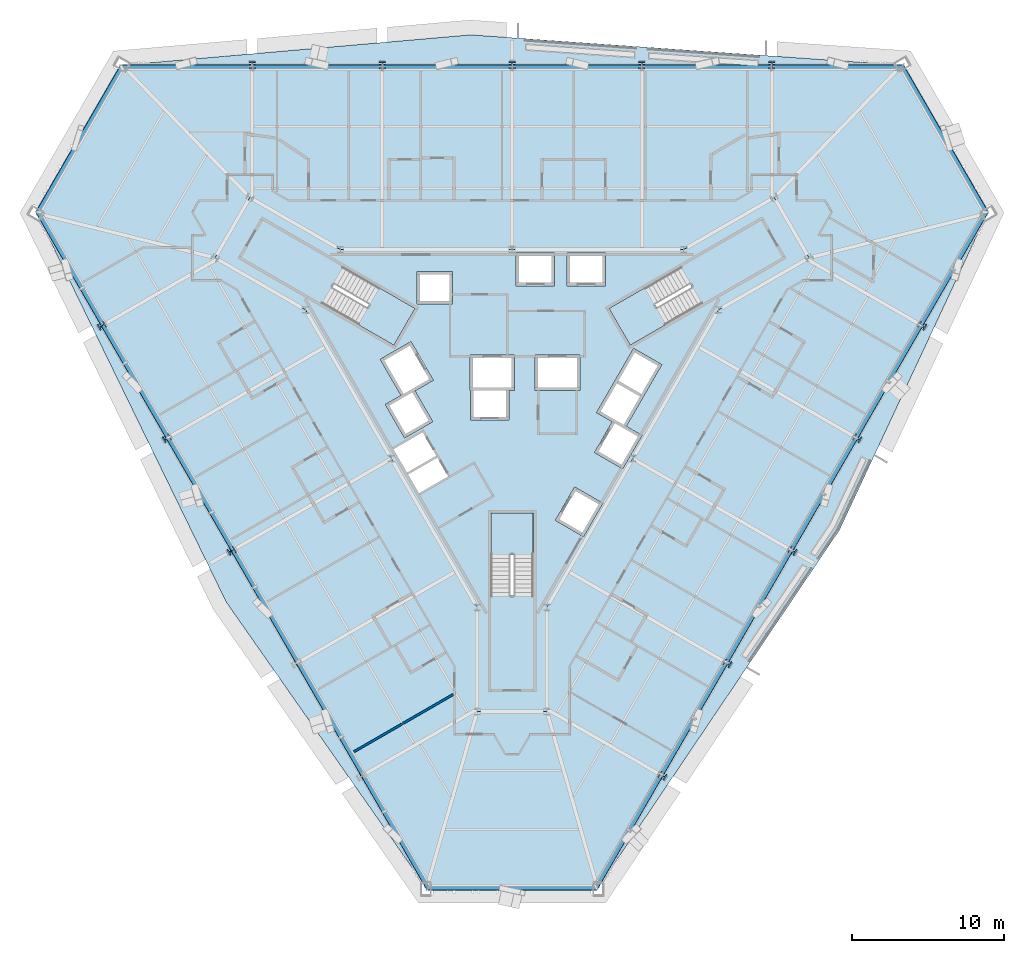
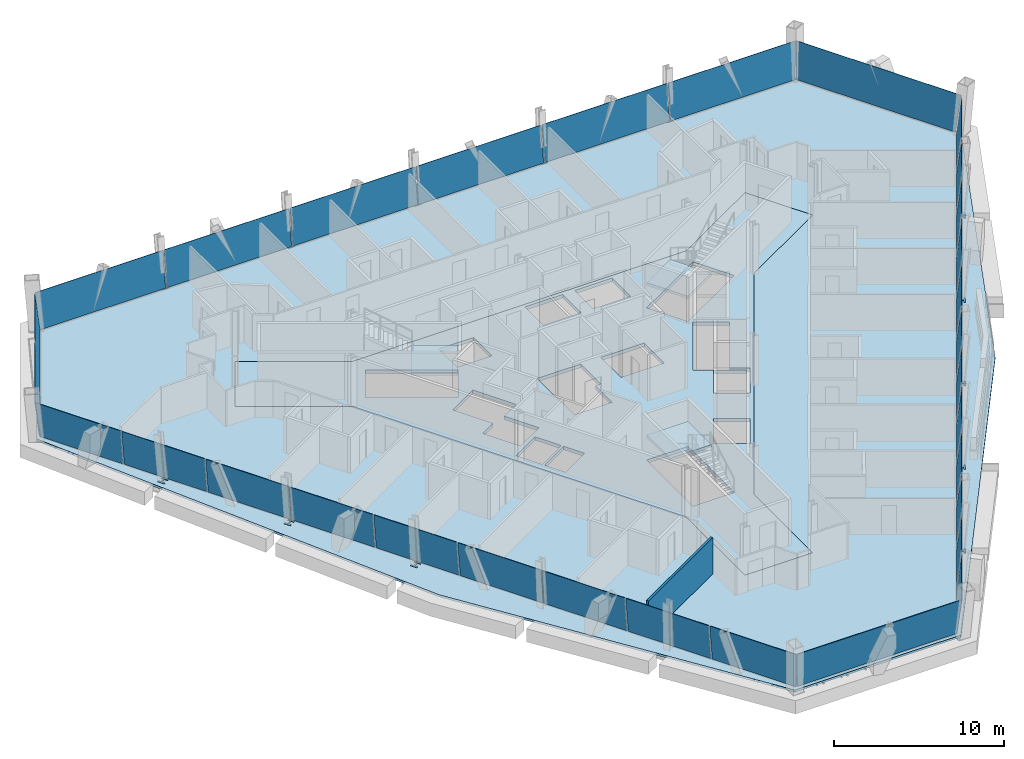
# One storey, part 7 of 15: 30 plates, 13 members, 5 slabs, 1 wall, 9 elements without a shape of their own.
"""IFC4 building model written with IfcOpenShell, lengths in metres."""

import ifcopenshell
import ifcopenshell.guid

model = None  # the IFC model being written
_history = None  # IfcOwnerHistory: only IFC2X3 demands one
_inside = {}  # id of a spatial element -> (the spatial element, [elements in it])
_under = {}  # id of a project, library or spatial element -> (it, [spatial elements below it])
_declared = {}  # id of a project -> (the project, [libraries it declares])
_typed = {}  # id of a type object -> (the type object, [elements of that type])
_made_of = {}  # id of a material, layer set ... -> (it, [elements and type objects made of it])


def new_model(schema):
    """Start an empty IFC model of exactly this schema.

    Asked for "IFC4X3", IfcOpenShell would pick the latest addendum, in which some entities
    have other attributes; the version numbers below select the first issue.
    IFC2X3 requires an IfcOwnerHistory on every rooted entity: one is made here for all.
    """
    global model, _history
    if schema == "IFC4X3":
        model = ifcopenshell.file(schema_version=(4, 3, 0, 0))
    else:
        model = ifcopenshell.file(schema=schema)
    _inside.clear()
    _under.clear()
    _declared.clear()
    _typed.clear()
    _made_of.clear()
    _history = None
    if model.schema == "IFC2X3":
        org = make("IfcOrganization", Name="unknown")
        user = make(
            "IfcPersonAndOrganization",
            ThePerson=make("IfcPerson", FamilyName="unknown"),
            TheOrganization=org,
        )
        app = make(
            "IfcApplication",
            ApplicationDeveloper=org,
            Version="unknown",
            ApplicationFullName="unknown",
            ApplicationIdentifier="unknown",
        )
        _history = make(
            "IfcOwnerHistory",
            OwningUser=user,
            OwningApplication=app,
            ChangeAction="ADDED",
            CreationDate=0,
        )
    return model


def make(cls, **values):
    """One entity of the class cls with the attributes given. An attribute that is None is left unset."""
    return model.create_entity(
        cls, **{name: value for name, value in values.items() if value is not None}
    )


def rooted(cls, **values):
    """An entity with a GlobalId (a new one), such as an element, a storey or a relation."""
    return make(cls, GlobalId=ifcopenshell.guid.new(), OwnerHistory=_history, **values)


def si_unit(unit_type, name, prefix=None):
    """IfcSIUnit, for example si_unit("LENGTHUNIT", "METRE", prefix="MILLI")."""
    return make("IfcSIUnit", UnitType=unit_type, Prefix=prefix, Name=name)


def assignment(units):
    """IfcUnitAssignment: the units of a project."""
    return None if units is None else make("IfcUnitAssignment", Units=units)


def point(xyz):
    """IfcCartesianPoint."""
    return None if xyz is None else make("IfcCartesianPoint", Coordinates=xyz)


def direction(xyz):
    """IfcDirection."""
    return None if xyz is None else make("IfcDirection", DirectionRatios=xyz)


def frame(location, z_axis=None, x_axis=None):
    """IfcAxis2Placement3D, a coordinate frame: its origin and axes. An axis left out is left unset."""
    return make(
        "IfcAxis2Placement3D",
        Location=point(location),
        Axis=direction(z_axis),
        RefDirection=direction(x_axis),
    )


def frame_2d(location, x_axis=None):
    """IfcAxis2Placement2D, a coordinate frame in the plane: its origin and x axis."""
    return make(
        "IfcAxis2Placement2D", Location=point(location), RefDirection=direction(x_axis)
    )


def origin():
    """The frame at (0, 0, 0) with its axes left unset."""
    return frame((0.0, 0.0, 0.0))


def origin_2d():
    """The frame at (0, 0) in the plane with its x axis left unset."""
    return frame_2d((0.0, 0.0))


def place(relative_to, where):
    """IfcLocalPlacement: puts the frame where relative to a parent placement (None: the world)."""
    return make(
        "IfcLocalPlacement", PlacementRelTo=relative_to, RelativePlacement=where
    )


def context(
    kind, dimensions, precision=None, world=None, true_north=None, identifier=None
):
    """IfcGeometricRepresentationContext, for example the 3D "Model" context."""
    return make(
        "IfcGeometricRepresentationContext",
        ContextIdentifier=identifier,
        ContextType=kind,
        CoordinateSpaceDimension=dimensions,
        Precision=precision,
        WorldCoordinateSystem=world,
        TrueNorth=true_north,
    )


def subcontext(parent, identifier, kind, view, scale=None):
    """IfcGeometricRepresentationSubContext, for example "Body" below "Model"."""
    return make(
        "IfcGeometricRepresentationSubContext",
        ContextIdentifier=identifier,
        ContextType=kind,
        ParentContext=parent,
        TargetScale=scale,
        TargetView=view,
    )


def project(units=None, contexts=None):
    """IfcProject with its units and contexts."""
    return rooted(
        "IfcProject",
        Name="project",
        RepresentationContexts=contexts,
        UnitsInContext=assignment(units),
    )


def spatial(cls, under=None, at=None, **own):
    """A site, building, storey or space (cls), placed at a placement, below another one or the project."""
    s = rooted(cls, ObjectPlacement=at, **own)
    if under is not None:
        _under.setdefault(under.id(), (under, []))[1].append(s)
    return s


def polyline(points):
    """IfcPolyline through the points."""
    return make("IfcPolyline", Points=[point(p) for p in points])


def profile(cls, at=None, kind="AREA", **sizes):
    """A parametric profile (cls). Its sizes go by their IFC names, for example OverallWidth=200.0."""
    return make(cls, ProfileType=kind, Position=at, **sizes)


def rectangle(**sizes):
    """IfcRectangleProfileDef."""
    return profile("IfcRectangleProfileDef", **sizes)


def i_section(**sizes):
    """IfcIShapeProfileDef."""
    return profile("IfcIShapeProfileDef", **sizes)


def outline(outer, holes=None, kind="AREA"):
    """IfcArbitraryClosedProfileDef: a profile drawn as a closed curve; with holes, ...WithVoids."""
    if holes is None:
        return make("IfcArbitraryClosedProfileDef", ProfileType=kind, OuterCurve=outer)
    return make(
        "IfcArbitraryProfileDefWithVoids",
        ProfileType=kind,
        OuterCurve=outer,
        InnerCurves=holes,
    )


def extrude(swept, where, along, depth):
    """IfcExtrudedAreaSolid: the profile swept, set in the frame where, extruded along a direction by depth."""
    return make(
        "IfcExtrudedAreaSolid",
        SweptArea=swept,
        Position=where,
        ExtrudedDirection=direction(along),
        Depth=depth,
    )


def shape(context_of_items, identifier, shape_type, items):
    """IfcShapeRepresentation: the items that make up one representation, for example the "Body"."""
    return make(
        "IfcShapeRepresentation",
        ContextOfItems=context_of_items,
        RepresentationIdentifier=identifier,
        RepresentationType=shape_type,
        Items=items,
    )


def material(Name=None, Category=None):
    """IfcMaterial."""
    return make("IfcMaterial", Name=Name, Category=Category)


def layer(
    of_material, thickness, ventilated=None, Name=None, Category=None, Priority=None
):
    """IfcMaterialLayer: one layer of a wall or slab, of a material (None: an air gap)."""
    return make(
        "IfcMaterialLayer",
        Material=of_material,
        LayerThickness=thickness,
        IsVentilated=ventilated,
        Name=Name,
        Category=Category,
        Priority=Priority,
    )


def layer_set(layers, Name=None):
    """IfcMaterialLayerSet."""
    return make("IfcMaterialLayerSet", MaterialLayers=layers, LayerSetName=Name)


def material_profile(
    of_material, cross_section, Name=None, Category=None, Priority=None
):
    """IfcMaterialProfile: a cross section and its material."""
    return make(
        "IfcMaterialProfile",
        Name=Name,
        Material=of_material,
        Profile=cross_section,
        Priority=Priority,
        Category=Category,
    )


def profile_set(profiles, Name=None, composite=None):
    """IfcMaterialProfileSet."""
    return make(
        "IfcMaterialProfileSet",
        Name=Name,
        MaterialProfiles=profiles,
        CompositeProfile=composite,
    )


def made_of(thing, what):
    """Note that an element or type object is made of a material, layer set ...; save() writes the relation."""
    if what is not None:
        _made_of.setdefault(what.id(), (what, []))[1].append(thing)
    return thing


def type_object(cls, material=None, **own):
    """A type object (cls), such as IfcWallType, which elements share."""
    return made_of(rooted(cls, **own), material)


def element(
    cls,
    number,
    at=None,
    inside=None,
    cuts=None,
    type_object=None,
    material=None,
    context=None,
    identifier="Body",
    shape_type=None,
    held_by="IfcProductDefinitionShape",
    body=None,
    shapes=None,
    **own,
):
    """One element of the class cls, such as IfcWall. Its Tag is "e" and its number.

    at: its placement. inside: the storey or other place that contains it. cuts: it is an
    opening in that element (IfcRelVoidsElement). A single representation is given by context,
    identifier, shape_type and body (its items); several are given by shapes. held_by: the class
    of the entity that holds the representations. save() writes the other relations.
    """
    e = rooted(cls, Tag="e%d" % number, ObjectPlacement=at, **own)
    if body is not None:
        shapes = [shape(context, identifier, shape_type, body)]
    if shapes is not None:
        e.Representation = make(held_by, Representations=shapes)
    if inside is not None:
        _inside.setdefault(inside.id(), (inside, []))[1].append(e)
    if cuts is not None:
        rooted(
            "IfcRelVoidsElement", RelatingBuildingElement=cuts, RelatedOpeningElement=e
        )
    if type_object is not None:
        _typed.setdefault(type_object.id(), (type_object, []))[1].append(e)
    return made_of(e, material)


def aggregate(whole, parts):
    """IfcRelAggregates: a whole, such as a stair, and the parts it consists of."""
    return rooted("IfcRelAggregates", RelatingObject=whole, RelatedObjects=parts)


def save(model, path):
    """Write the relations noted so far, then the file.

    IfcRelAggregates (storeys below a building ...), IfcRelContainedInSpatialStructure (elements
    in a storey), IfcRelDefinesByType, IfcRelAssociatesMaterial and IfcRelDeclares: one each for
    every whole, place, type object, material and project.
    """
    for whole, parts in _under.values():
        aggregate(whole, parts)
    for where, things in _inside.values():
        rooted(
            "IfcRelContainedInSpatialStructure",
            RelatedElements=things,
            RelatingStructure=where,
        )
    for kind, things in _typed.values():
        rooted("IfcRelDefinesByType", RelatedObjects=things, RelatingType=kind)
    for what, things in _made_of.values():
        rooted("IfcRelAssociatesMaterial", RelatedObjects=things, RelatingMaterial=what)
    for by, libraries in _declared.values():
        rooted("IfcRelDeclares", RelatingContext=by, RelatedDefinitions=libraries)
    model.write(path)


model = new_model("IFC4")

# Units and contexts
model_context = context("Model", 3, precision=1e-05, world=origin(), true_north=direction((0.0, 1.0)))
body_context = subcontext(model_context, "Body", "Model", "MODEL_VIEW")
ifc_project = project(units=[si_unit("LENGTHUNIT", "METRE"), si_unit("AREAUNIT", "SQUARE_METRE"), si_unit("VOLUMEUNIT", "CUBIC_METRE"), si_unit("PLANEANGLEUNIT", "RADIAN"), si_unit("MASSUNIT", "GRAM", prefix="KILO")], contexts=[model_context])

# Site, building, storey
site_placement = place(None, origin())
site = spatial("IfcSite", under=ifc_project, at=site_placement, CompositionType="ELEMENT")
building_placement = place(site_placement, origin())
building = spatial("IfcBuilding", under=site, at=building_placement, Name="Verrane Prism Tower", CompositionType="ELEMENT")
storey_placement = place(building_placement, frame((0.0, 0.0, 72.800048828125)))
storey = spatial("IfcBuildingStorey", under=building, at=storey_placement, Name="L16", CompositionType="ELEMENT", Elevation=72.800048828125)

# Members
ifc_material_1 = material(Name="Steel A992", Category="steel")
ifc_material_profile = material_profile(ifc_material_1, i_section(OverallWidth=0.431884765625, OverallDepth=0.497802734375, WebThickness=0.0556640625, FlangeThickness=0.0888671875, FilletRadius=0.01513671875, at=origin_2d()), Name="W14x500")
ifc_profile_set = profile_set([ifc_material_profile], Name="Steel A992")
member_type = type_object("IfcMemberType", Name="Kink node W14x500", PredefinedType="COLLAR", material=ifc_profile_set)
for number, where, z_axis, x_axis, name in (
    (1, (17.150390625, 21.37109375, -0.025146484375), (0.0, 0.0, 1.0), (1.0, 0.0, 0.0), "Kink node PC3 L16"),
    (2, (8.5703125, 21.37109375, -0.025146484375), (0.0, 0.0, 1.0), (1.0, 0.0, 0.0), "Kink node PC3 L16"),
    (3, (0.0, 21.37109375, -0.025146484375), (0.0, 0.0, 1.0), (1.0, 0.0, 0.0), "Kink node PC3 L16"),
    (4, (-8.5703125, 21.37109375, -0.025146484375), (0.0, 0.0, 1.0), (1.0, 0.0, 0.0), "Kink node PC3 L16"),
    (5, (-17.150390625, 21.37109375, -0.025146484375), (0.0, 0.0, 1.0), (1.0, 0.0, 0.0), "Kink node PC3 L16"),
    (6, (9.9306640625, -25.540771484375, -0.025146484375), (0.0, 0.0, 1.0), (-0.5, -0.866025403784, 0.0), "Kink node PC3 L16"),
    (7, (14.220703125, -18.110595703125, -0.025146484375), (0.0, 0.0, 1.0), (-0.5, -0.866025403784, 0.0), "Kink node PC3 L16"),
    (8, (18.510986328125, -10.6904296875, -0.025146484375), (0.0, 0.0, 1.0), (-0.5, -0.866025403784, 0.0), "Kink node PC3 L16"),
    (9, (22.791015625, -3.26025390625, -0.025146484375), (0.0, 0.0, 1.0), (-0.5, -0.866025403784, 0.0), "Kink node PC3 L16"),
    (10, (27.0810546875, 4.169921875, -0.025146484375), (0.0, 0.0, 1.0), (-0.5, -0.866025403784, 0.0), "Kink node PC3 L16"),
    (11, (-27.0810546875, 4.169921875, -0.025146484375), (0.0, 0.0, 1.0), (-0.5, 0.866025403784, 0.0), "Kink node PC3 L16"),
    (12, (-22.791015625, -3.26025390625, -0.025146484375), (0.0, 0.0, 1.0), (-0.5, 0.866025403784, 0.0), "Kink node PC3 L16"),
    (13, (-18.510986328125, -10.6904296875, -0.025146484375), (0.0, 0.0, 1.0), (-0.5, 0.866025403784, 0.0), "Kink node PC3 L16"),
):
    element("IfcMember", number, at=place(storey_placement, frame(where, z_axis=z_axis, x_axis=x_axis)), inside=storey, type_object=member_type, Name=name, PredefinedType="COLLAR", context=body_context, shape_type="SweptSolid", body=[
        extrude(i_section(OverallWidth=0.431884765625, OverallDepth=0.497802734375, WebThickness=0.0556640625, FlangeThickness=0.0888671875, FilletRadius=0.01513671875, at=origin_2d()), origin(), (0.0, 0.0, 1.0), 0.050048828125),
    ])

# Slabs
ifc_material_2 = material(Name="Concrete C35/45", Category="concrete")
ifc_layer_1 = layer(ifc_material_2, 0.159912109375)
ifc_layer_set_1 = layer_set([ifc_layer_1], Name="Composite floor slab")
slab_type_1 = type_object("IfcSlabType", Name="Composite floor slab", PredefinedType="FLOOR", material=ifc_layer_set_1)
slab_1_placement = place(storey_placement, frame((0.0, 0.0, -0.16015625)))
element("IfcSlab", 14, at=slab_1_placement, inside=storey, type_object=slab_type_1, Name="Floor slab L16", PredefinedType="FLOOR", context=body_context, shape_type="SweptSolid", body=[
    extrude(outline(polyline([(21.61083984375, -9.308837890625), (5.64599609375, -32.960693359375), (-5.64599609375, -32.960693359375), (-18.8671875, -14.06103515625), (-31.367919921875, 11.5908203125), (-25.721923828125, 21.3701171875), (-2.74365234375, 23.3701171875), (25.721923828125, 21.3701171875), (31.367919921875, 11.5908203125), (21.61083984375, -9.308837890625)]), holes=[polyline([(19.60009765625, 8.659912109375), (17.300048828125, 12.639892578125), (11.330078125, 9.199951171875), (0.0, 9.199951171875), (-11.330078125, 9.199951171875), (-17.300048828125, 12.639892578125), (-19.60009765625, 8.659912109375), (-13.6298828125, 5.219970703125), (-7.969970703125, -4.60009765625), (-2.300048828125, -14.419921875), (-2.300048828125, -21.300048828125), (2.300048828125, -21.300048828125), (2.300048828125, -14.419921875), (7.969970703125, -4.60009765625), (13.6298828125, 5.219970703125), (19.60009765625, 8.659912109375)])]), origin(), (0.0, 0.0, 1.0), 0.16015625),
])
ifc_material_3 = material(Name="Concrete C40/50", Category="concrete")
ifc_layer_2 = layer(ifc_material_3, 0.25)
ifc_layer_set_2 = layer_set([ifc_layer_2], Name="Core floor slab 250 concrete C40/50")
slab_type_2 = type_object("IfcSlabType", Name="Core floor slab 250 concrete C40/50", PredefinedType="FLOOR", material=ifc_layer_set_2)
slab_2_placement = place(storey_placement, frame((0.0, 0.0, -0.25)))
element("IfcSlab", 15, at=slab_2_placement, inside=storey, type_object=slab_type_2, Name="Core floor L16", PredefinedType="FLOOR", context=body_context, shape_type="SweptSolid", body=[
    extrude(outline(polyline([(13.6298828125, 5.219970703125), (19.60009765625, 8.659912109375), (17.300048828125, 12.639892578125), (11.330078125, 9.199951171875), (0.0, 9.199951171875), (-11.330078125, 9.199951171875), (-17.300048828125, 12.639892578125), (-19.60009765625, 8.659912109375), (-13.6298828125, 5.219970703125), (-7.969970703125, -4.60009765625), (-2.300048828125, -14.419921875), (-2.300048828125, -21.300048828125), (2.300048828125, -21.300048828125), (2.300048828125, -14.419921875), (7.969970703125, -4.60009765625), (13.6298828125, 5.219970703125)]), holes=[polyline([(1.39990234375, -8.199951171875), (1.39990234375, -13.639892578125), (-1.39990234375, -13.639892578125), (-1.39990234375, -8.199951171875), (1.39990234375, -8.199951171875)]), polyline([(-4.215087890625, -5.77099609375), (-6.14208984375, -6.883056640625), (-6.85400390625, -5.64599609375), (-4.928955078125, -4.533935546875), (-4.215087890625, -5.77099609375)]), polyline([(-5.0029296875, -4.404052734375), (-6.929931640625, -5.51708984375), (-7.819091796875, -3.97705078125), (-5.89306640625, -2.864013671875), (-5.0029296875, -4.404052734375)]), polyline([(0.1650390625, 2.25), (0.1650390625, -0.10009765625), (-0.205078125, -0.10009765625), (-0.205078125, -2.050048828125), (-2.7548828125, -2.050048828125), (-2.7548828125, -0.10009765625), (-2.784912109375, -0.10009765625), (-2.784912109375, 2.25), (0.1650390625, 2.25)]), polyline([(-12.512939453125, 5.60791015625), (-11.113037109375, 8.031982421875), (-6.40087890625, 5.31201171875), (-7.801025390625, 2.887939453125), (-12.512939453125, 5.60791015625)]), polyline([(-6.284912109375, 5.610107421875), (-6.284912109375, 7.760009765625), (-3.93505859375, 7.760009765625), (-3.93505859375, 5.610107421875), (-6.284912109375, 5.610107421875)]), polyline([(4.717041015625, -9.75), (2.85498046875, -8.675048828125), (4.1298828125, -6.466064453125), (5.991943359375, -7.541015625), (4.717041015625, -9.75)]), polyline([(8.303955078125, -3.136962890625), (5.575927734375, -1.56201171875), (8.02587890625, 2.680908203125), (9.887939453125, 1.60595703125), (7.5380859375, -2.464111328125), (8.576904296875, -3.06396484375), (7.302001953125, -5.27197265625), (5.43994140625, -4.197021484375), (6.614990234375, -2.162109375), (8.303955078125, -3.136962890625)]), polyline([(1.52490234375, -0.10009765625), (1.52490234375, 2.25), (4.47509765625, 2.25), (4.47509765625, -0.10009765625), (1.52490234375, -0.10009765625)]), polyline([(6.40087890625, 5.31201171875), (11.113037109375, 8.031982421875), (12.512939453125, 5.60791015625), (7.801025390625, 2.887939453125), (6.40087890625, 5.31201171875)]), polyline([(0.264892578125, 6.81005859375), (0.264892578125, 8.9599609375), (2.81494140625, 8.9599609375), (2.81494140625, 6.81005859375), (0.264892578125, 6.81005859375)]), polyline([(3.625, 6.81005859375), (3.625, 8.9599609375), (6.175048828125, 8.9599609375), (6.175048828125, 6.81005859375), (3.625, 6.81005859375)]), polyline([(-5.23095703125, -2.159912109375), (-7.093017578125, -3.235107421875), (-8.367919921875, -1.02587890625), (-7.3291015625, -0.426025390625), (-8.7041015625, 1.955078125), (-6.66796875, 3.1298828125), (-5.193115234375, 0.574951171875), (-6.406005859375, -0.125), (-5.23095703125, -2.159912109375)])]), origin(), (0.0, 0.0, 1.0), 0.25),
])

# Curtain wall, plates
ifc_material_4 = material(Name="Aluminium framed insulated glazing", Category="aluminium")
curtain_wall_type_1 = type_object("IfcCurtainWallType", Name="Curtain wall CW-C 4200 module", PredefinedType="NOTDEFINED", material=ifc_material_4)
curtain_wall_1_placement = place(storey_placement, origin())
curtain_wall_1 = element("IfcCurtainWall", 16, at=curtain_wall_1_placement, inside=storey, type_object=curtain_wall_type_1, Name="Glazed curtain wall south-east face L16", PredefinedType="NOTDEFINED")
ifc_material_5 = material(Name="Low-iron insulating glass unit", Category="glass")
ifc_layer_3 = layer(ifc_material_5, 0.02392578125)
ifc_layer_set_3 = layer_set([ifc_layer_3], Name="Glazing panel IGU 24")
plate_type_1 = type_object("IfcPlateType", Name="Glazing panel IGU 24", PredefinedType="CURTAIN_PANEL", material=ifc_layer_set_3)
plate_1_placement = place(storey_placement, frame((5.4658203125, -32.714599609375, 0.050048828125), z_axis=(-0.860138560497, 0.496624263946, 0.116301320742), x_axis=(0.500017873886, 0.866015084033, 4.734198e-06)))
plate_1 = element("IfcPlate", 17, at=plate_1_placement, type_object=plate_type_1, Name="CW14.6 panel 1", PredefinedType="CURTAIN_PANEL", context=body_context, shape_type="SweptSolid", body=[
    extrude(outline(polyline([(0.0, 0.0), (4.199751088379407, -2.7755575615628914e-17), (4.199832985620269, -2.5802337853318464), (-0.1987496228091338, -2.580274769669324), (0.0, 0.0)])), origin(), (0.0, 0.0, -1.0), 0.02392578125),
])
plate_2_placement = place(storey_placement, frame((7.5908203125, -29.0341796875, 0.050048828125), z_axis=(-0.860147744322, 0.496608838471, 0.11629926694), x_axis=(0.500001617994, 0.866024469632, -1.221645e-06)))
plate_2 = element("IfcPlate", 18, at=plate_2_placement, type_object=plate_type_1, Name="CW14.6 panel 2", PredefinedType="CURTAIN_PANEL", context=body_context, shape_type="SweptSolid", body=[
    extrude(outline(polyline([(0.0, 0.0), (4.224672046092185, -2.7755575615628914e-17), (4.224855121093396, -2.580258375764737), (-0.00015042746158924693, -2.5802479827357323), (0.0, 0.0)])), origin(), (0.0, 0.0, -1.0), 0.02392578125),
])
plate_3_placement = place(storey_placement, frame((9.728271484375, -25.332275390625, 0.050048828125), z_axis=(-0.860164268546, 0.49658968081, 0.116258849251), x_axis=(0.499979902247, 0.866037006915, -1.668088e-06)))
plate_3 = element("IfcPlate", 19, at=plate_3_placement, type_object=plate_type_1, Name="CW14.6 panel 3", PredefinedType="CURTAIN_PANEL", context=body_context, shape_type="SweptSolid", body=[
    extrude(outline(polyline([(0.0, 0.0), (4.224883480682666, 5.551115123125783e-17), (4.224724385666777, -2.580247981885406), (5.233980025293956e-05, -2.580233791052092), (0.0, 0.0)])), origin(), (0.0, 0.0, -1.0), 0.02392578125),
])
plate_4_placement = place(storey_placement, frame((11.865478515625, -21.630126953125, 0.050048828125), z_axis=(-0.860142935766, 0.496622631237, 0.116275931285), x_axis=(0.50001454639, 0.866017005255, 2.889781e-06)))
plate_4 = element("IfcPlate", 20, at=plate_4_placement, type_object=plate_type_1, Name="CW14.6 panel 4", PredefinedType="CURTAIN_PANEL", context=body_context, shape_type="SweptSolid", body=[
    extrude(outline(polyline([(0.0, 0.0), (4.224794118812816, -2.7755575615628914e-17), (4.224870136919635, -2.5802337890388616), (0.00019809197068371815, -2.5802583729008397), (0.0, 0.0)])), origin(), (0.0, 0.0, -1.0), 0.02392578125),
])
plate_5_placement = place(storey_placement, frame((14.0029296875, -17.927978515625, 0.050048828125), z_axis=(-0.860147744322, 0.496608838471, 0.11629926694), x_axis=(0.500002204197, 0.866024131175, 4.559145e-06)))
plate_5 = element("IfcPlate", 21, at=plate_5_placement, type_object=plate_type_1, Name="CW14.6 panel 5", PredefinedType="CURTAIN_PANEL", context=body_context, shape_type="SweptSolid", body=[
    extrude(outline(polyline([(0.0, 0.0), (4.224794116871262, 0.0), (4.224870138861222, -2.580233785859709), (-1.333883205641092e-05, -2.580272572363335), (0.0, 0.0)])), origin(), (0.0, 0.0, -1.0), 0.02392578125),
])
plate_6_placement = place(storey_placement, frame((16.140380859375, -14.225830078125, 0.050048828125), z_axis=(-0.860147744322, 0.496608838471, 0.11629926694), x_axis=(0.500001617994, 0.866024469632, -1.221645e-06)))
plate_6 = element("IfcPlate", 22, at=plate_6_placement, type_object=plate_type_1, Name="CW14.6 panel 6", PredefinedType="CURTAIN_PANEL", context=body_context, shape_type="SweptSolid", body=[
    extrude(outline(polyline([(0.0, 0.0), (4.224672046092185, -2.7755575615628914e-17), (4.224855121093396, -2.580258375764737), (-0.00015042746158924693, -2.5802479827357323), (0.0, 0.0)])), origin(), (0.0, 0.0, -1.0), 0.02392578125),
])
plate_7_placement = place(storey_placement, frame((18.27783203125, -10.52392578125, 0.050048828125), z_axis=(-0.860147744322, 0.496608838471, 0.11629926694), x_axis=(0.500001279556, 0.866024665019, -4.559049e-06)))
plate_7 = element("IfcPlate", 23, at=plate_7_placement, type_object=plate_type_1, Name="CW14.6 panel 7", PredefinedType="CURTAIN_PANEL", context=body_context, shape_type="SweptSolid", body=[
    extrude(outline(polyline([(0.0, 0.0), (4.224883477871318, 0.0), (4.2248464508708174, -2.5802725721321433), (5.2334177590897734e-05, -2.5802337864488956), (0.0, 0.0)])), origin(), (0.0, 0.0, -1.0), 0.02392578125),
])
plate_8_placement = place(storey_placement, frame((20.415283203125, -6.82177734375, 0.050048828125), z_axis=(-0.860159459568, 0.496603472853, 0.116235514653), x_axis=(0.499992582699, 0.866029686123, 0.0)))
plate_8 = element("IfcPlate", 24, at=plate_8_placement, type_object=plate_type_1, Name="CW14.6 panel 8", PredefinedType="CURTAIN_PANEL", context=body_context, shape_type="SweptSolid", body=[
    extrude(outline(polyline([(0.0, 0.0), (4.224672046325262, 0.0), (4.2247330523586735, -2.5802337915738214), (6.1006033411037505e-05, -2.5802337915738214), (0.0, 0.0)])), origin(), (0.0, 0.0, -1.0), 0.02392578125),
])
plate_9_placement = place(storey_placement, frame((22.552490234375, -3.11962890625, 0.050048828125), z_axis=(-0.860147744322, 0.496608838471, 0.11629926694), x_axis=(0.500002204197, 0.866024131175, 4.559145e-06)))
plate_9 = element("IfcPlate", 25, at=plate_9_placement, type_object=plate_type_1, Name="CW14.6 panel 9", PredefinedType="CURTAIN_PANEL", context=body_context, shape_type="SweptSolid", body=[
    extrude(outline(polyline([(0.0, 0.0), (4.224794116871262, 0.0), (4.224870138861222, -2.580233785859709), (-1.333883205641092e-05, -2.580272572363335), (0.0, 0.0)])), origin(), (0.0, 0.0, -1.0), 0.02392578125),
])
plate_10_placement = place(storey_placement, frame((24.68994140625, 0.58251953125, 0.050048828125), z_axis=(-0.860129874515, 0.496643787814, 0.11628218691), x_axis=(0.500035923186, 0.86600466253, 0.0)))
plate_10 = element("IfcPlate", 26, at=plate_10_placement, type_object=plate_type_1, Name="CW14.6 panel 10", PredefinedType="CURTAIN_PANEL", context=body_context, shape_type="SweptSolid", body=[
    extrude(outline(polyline([(0.0, 0.0), (4.224794120117561, 2.7755575615628914e-17), (4.224658708695302, -2.580247983949087), (-0.00013541142225840808, -2.580247983949087), (0.0, 0.0)])), origin(), (0.0, 0.0, -1.0), 0.02392578125),
])
plate_11_placement = place(storey_placement, frame((26.827392578125, 4.284423828125, 0.050048828125), z_axis=(-0.860147744322, 0.496608838471, 0.11629926694), x_axis=(0.500001279556, 0.866024665019, -4.559049e-06)))
plate_11 = element("IfcPlate", 27, at=plate_11_placement, type_object=plate_type_1, Name="CW14.6 panel 11", PredefinedType="CURTAIN_PANEL", context=body_context, shape_type="SweptSolid", body=[
    extrude(outline(polyline([(0.0, 0.0), (4.224883477871318, 0.0), (4.2248464508708174, -2.5802725721321433), (5.2334177590897734e-05, -2.5802337864488956), (0.0, 0.0)])), origin(), (0.0, 0.0, -1.0), 0.02392578125),
])
plate_12_placement = place(storey_placement, frame((28.96484375, 7.986572265625, 0.050048828125), z_axis=(-0.860162882076, 0.496594068499, 0.116250365295), x_axis=(0.499983882127, 0.866034709242, -1.055325e-06)))
plate_12 = element("IfcPlate", 28, at=plate_12_placement, type_object=plate_type_1, Name="CW14.6 panel 12", PredefinedType="CURTAIN_PANEL", context=body_context, shape_type="SweptSolid", body=[
    extrude(outline(polyline([(0.0, 0.0), (4.24971508007236, 0.0), (4.4234695000645985, -2.5802430068689777), (5.5288417442604385e-05, -2.580233791414259), (0.0, 0.0)])), origin(), (0.0, 0.0, -1.0), 0.02392578125),
])
aggregate(curtain_wall_1, [plate_1, plate_2, plate_3, plate_4, plate_5, plate_6, plate_7, plate_8, plate_9, plate_10, plate_11, plate_12])

ifc_material_6 = material(Name="Aluminium framed insulated glazing", Category="aluminium")
curtain_wall_type_2 = type_object("IfcCurtainWallType", Name="Curtain wall CW-B 5600 module", PredefinedType="NOTDEFINED", material=ifc_material_6)
curtain_wall_2_placement = place(storey_placement, origin())
curtain_wall_2 = element("IfcCurtainWall", 29, at=curtain_wall_2_placement, inside=storey, type_object=curtain_wall_type_2, Name="Glazed curtain wall south-west face L16", PredefinedType="NOTDEFINED")
ifc_material_7 = material(Name="Low-iron insulating glass unit", Category="glass")
ifc_layer_4 = layer(ifc_material_7, 0.028076171875)
ifc_layer_set_4 = layer_set([ifc_layer_4], Name="Glazing panel IGU 28")
plate_type_2 = type_object("IfcPlateType", Name="Glazing panel IGU 28", PredefinedType="CURTAIN_PANEL", material=ifc_layer_set_4)
plate_13_placement = place(storey_placement, frame((-31.059814453125, 11.614990234375, 0.06005859375), z_axis=(0.860101924939, 0.49659636066, 0.116690759251), x_axis=(0.500012265041, -0.866018322444, 3.04531e-07)))
plate_13 = element("IfcPlate", 30, at=plate_13_placement, type_object=plate_type_2, Name="CW14.4 panel 1", PredefinedType="CURTAIN_PANEL", context=body_context, shape_type="SweptSolid", body=[
    extrude(outline(polyline([(0.0, 0.0), (5.609750857267189, -5.551115123125783e-17), (5.609683812383419, -2.5702921384913973), (-0.20362425760998198, -2.5702956410986952), (0.0, 0.0)])), origin(), (0.0, 0.0, -1.0), 0.028076171875),
])
plate_14_placement = place(storey_placement, frame((-28.224853515625, 6.704833984375, 0.06005859375), z_axis=(0.860110533861, 0.496577274554, 0.116708525559), x_axis=(0.499994257256, -0.866028719333, -1.254442e-06)))
plate_14 = element("IfcPlate", 31, at=plate_14_placement, type_object=plate_type_2, Name="CW14.4 panel 2", PredefinedType="CURTAIN_PANEL", context=body_context, shape_type="SweptSolid", body=[
    extrude(outline(polyline([(0.0, 0.0), (5.6396089359282735, 0.0), (5.639755580514825, -2.570306384622144), (-6.478820625448498e-05, -2.5702921378761694), (0.0, 0.0)])), origin(), (0.0, 0.0, -1.0), 0.028076171875),
])
plate_15_placement = place(storey_placement, frame((-25.375, 1.768798828125, 0.06005859375), z_axis=(0.860110533861, 0.496577274554, 0.116708525559), x_axis=(0.499994257256, -0.866028719333, -1.254442e-06)))
plate_15 = element("IfcPlate", 32, at=plate_15_placement, type_object=plate_type_2, Name="CW14.4 panel 3", PredefinedType="CURTAIN_PANEL", context=body_context, shape_type="SweptSolid", body=[
    extrude(outline(polyline([(0.0, 0.0), (5.6396089359282735, 0.0), (5.639755580514825, -2.570306384622144), (-6.478820625448498e-05, -2.5702921378761694), (0.0, 0.0)])), origin(), (0.0, 0.0, -1.0), 0.028076171875),
])
plate_16_placement = place(storey_placement, frame((-22.525146484375, -3.167236328125, 0.06005859375), z_axis=(0.860110533861, 0.496577274554, 0.116708525559), x_axis=(0.499994001936, -0.86602886674, 1.254395e-06)))
plate_16 = element("IfcPlate", 33, at=plate_16_placement, type_object=plate_type_2, Name="CW14.4 panel 4", PredefinedType="CURTAIN_PANEL", context=body_context, shape_type="SweptSolid", body=[
    extrude(outline(polyline([(0.0, 0.0), (5.639820368739074, 0.0), (5.639762073345849, -2.570292138031631), (0.00015313743556804473, -2.5703063842435045), (0.0, 0.0)])), origin(), (0.0, 0.0, -1.0), 0.028076171875),
])
plate_17_placement = place(storey_placement, frame((-19.67529296875, -8.103515625, 0.06005859375), z_axis=(0.860107543083, 0.496587959141, 0.116685102597), x_axis=(0.500003502126, -0.866023381821, 0.0)))
plate_17 = element("IfcPlate", 34, at=plate_17_placement, type_object=plate_type_2, Name="CW14.4 panel 5", PredefinedType="CURTAIN_PANEL", context=body_context, shape_type="SweptSolid", body=[
    extrude(outline(polyline([(0.0, 0.0), (5.639608936254046, 0.0), (5.639544148699342, -2.5702921385909807), (-6.478755470515352e-05, -2.5702921385909807), (0.0, 0.0)])), origin(), (0.0, 0.0, -1.0), 0.028076171875),
])
plate_18_placement = place(storey_placement, frame((-16.825439453125, -13.03955078125, 0.06005859375), z_axis=(0.860110533861, 0.496577274554, 0.116708525559), x_axis=(0.499994257256, -0.866028719333, -1.254442e-06)))
plate_18 = element("IfcPlate", 35, at=plate_18_placement, type_object=plate_type_2, Name="CW14.4 panel 6", PredefinedType="CURTAIN_PANEL", context=body_context, shape_type="SweptSolid", body=[
    extrude(outline(polyline([(0.0, 0.0), (5.6396089359282735, 0.0), (5.639755580514825, -2.570306384622144), (-6.478820625448498e-05, -2.5702921378761694), (0.0, 0.0)])), origin(), (0.0, 0.0, -1.0), 0.028076171875),
])
plate_19_placement = place(storey_placement, frame((-13.9755859375, -17.9755859375, 0.06005859375), z_axis=(0.860097096114, 0.496591012905, 0.116749094897), x_axis=(0.500010456544, -0.866019366611, -9.18545e-07)))
plate_19 = element("IfcPlate", 36, at=plate_19_placement, type_object=plate_type_2, Name="CW14.4 panel 7", PredefinedType="CURTAIN_PANEL", context=body_context, shape_type="SweptSolid", body=[
    extrude(outline(polyline([(0.0, 0.0), (5.639942439444623, 0.0), (5.639750825814337, -2.570316817340613), (0.0001418897445065724, -2.57030638522079), (0.0, 0.0)])), origin(), (0.0, 0.0, -1.0), 0.028076171875),
])
plate_20_placement = place(storey_placement, frame((-11.125732421875, -22.911865234375, 0.06005859375), z_axis=(0.860088925678, 0.496620203974, 0.116685101584), x_axis=(0.50003596868, -0.866004636261, 0.0)))
plate_20 = element("IfcPlate", 37, at=plate_20_placement, type_object=plate_type_2, Name="CW14.4 panel 8", PredefinedType="CURTAIN_PANEL", context=body_context, shape_type="SweptSolid", body=[
    extrude(outline(polyline([(0.0, 0.0), (5.639731011384803, 0.0), (5.639654980131956, -2.5702921382829764), (-7.603125284674772e-05, -2.570292138282976), (0.0, 0.0)])), origin(), (0.0, 0.0, -1.0), 0.028076171875),
])
plate_21_placement = place(storey_placement, frame((-8.27587890625, -27.847900390625, 0.06005859375), z_axis=(0.860101685599, 0.496601316024, 0.116671433322), x_axis=(0.500016068337, -0.866016126527, 7.27929e-07)))
plate_21 = element("IfcPlate", 38, at=plate_21_placement, type_object=plate_type_2, Name="CW14.4 panel 9", PredefinedType="CURTAIN_PANEL", context=body_context, shape_type="SweptSolid", body=[
    extrude(outline(polyline([(0.0, 0.0), (5.669800518123506, 0.0), (5.843432371267205, -2.570283699782679), (-6.728119917293126e-05, -2.5702921382834862), (0.0, 0.0)])), origin(), (0.0, 0.0, -1.0), 0.028076171875),
])
aggregate(curtain_wall_2, [plate_13, plate_14, plate_15, plate_16, plate_17, plate_18, plate_19, plate_20, plate_21])

# Curtain wall, plate
ifc_material_8 = material(Name="Aluminium framed insulated glazing", Category="aluminium")
curtain_wall_type_3 = type_object("IfcCurtainWallType", Name="Curtain wall CW-A 8400 module", PredefinedType="NOTDEFINED", material=ifc_material_8)
curtain_wall_3_placement = place(storey_placement, origin())
curtain_wall_3 = element("IfcCurtainWall", 39, at=curtain_wall_3_placement, inside=storey, type_object=curtain_wall_type_3, Name="Glazed curtain wall north-east corner L16", PredefinedType="NOTDEFINED")
ifc_material_9 = material(Name="Low-iron insulating glass unit", Category="glass")
ifc_layer_5 = layer(ifc_material_9, 0.031982421875)
ifc_layer_set_5 = layer_set([ifc_layer_5], Name="Glazing panel IGU 32")
plate_type_3 = type_object("IfcPlateType", Name="Glazing panel IGU 32", PredefinedType="CURTAIN_PANEL", material=ifc_layer_set_5)
plate_22_placement = place(storey_placement, frame((31.0546875, 11.7275390625, 0.070068359375), z_axis=(-0.860047820928, -0.496535288957, 0.117347571502), x_axis=(-0.499989879421, 0.866031246824, -1.115445e-06)))
plate_22 = element("IfcPlate", 40, at=plate_22_placement, type_object=plate_type_3, Name="CW14.1 panel 1", PredefinedType="CURTAIN_PANEL", context=body_context, shape_type="SweptSolid", body=[
    extrude(outline(polyline([(0.0, 0.0), (10.812053786488184, 2.220446049250313e-16), (10.984990307688317, -2.5604270941571823), (-0.2078008641826852, -2.5604023781914593), (0.0, 0.0)])), origin(), (0.0, 0.0, -1.0), 0.031982421875),
])
aggregate(curtain_wall_3, [plate_22])

# Curtain wall, plates
curtain_wall_4_placement = place(storey_placement, origin())
curtain_wall_4 = element("IfcCurtainWall", 41, at=curtain_wall_4_placement, inside=storey, type_object=curtain_wall_type_3, Name="Glazed curtain wall north face L16", PredefinedType="NOTDEFINED")
plate_23_placement = place(storey_placement, frame((25.578857421875, 21.091064453125, 0.070068359375), z_axis=(0.0, -0.993109537785, 0.117189786072), x_axis=(-1.0, 0.0, 0.0)))
plate_23 = element("IfcPlate", 42, at=plate_23_placement, type_object=plate_type_3, Name="CW14.2 panel 1", PredefinedType="CURTAIN_PANEL", context=body_context, shape_type="SweptSolid", body=[
    extrude(outline(polyline([(0.0, 0.0), (8.444580078125, 0.0), (8.444580078125, -2.560366719511178), (-0.20849609375, -2.560366719511178), (0.0, 0.0)])), origin(), (0.0, 0.0, -1.0), 0.031982421875),
])
plate_24_placement = place(storey_placement, frame((17.064208984375, 21.091064453125, 0.070068359375), z_axis=(0.0, -0.993109537785, 0.117189786072), x_axis=(-1.0, 0.0, 0.0)))
plate_24 = element("IfcPlate", 43, at=plate_24_placement, type_object=plate_type_3, Name="CW14.2 panel 2", PredefinedType="CURTAIN_PANEL", context=body_context, shape_type="SweptSolid", body=[
    extrude(outline(polyline([(0.0, 0.0), (8.4794921875, 0.0), (8.4794921875, -2.5603667195111783), (0.0, -2.5603667195111783), (0.0, 0.0)])), origin(), (0.0, 0.0, -1.0), 0.031982421875),
])
plate_25_placement = place(storey_placement, frame((8.5146484375, 21.091064453125, 0.070068359375), z_axis=(0.0, -0.993109537785, 0.117189786072), x_axis=(-1.0, 0.0, 0.0)))
plate_25 = element("IfcPlate", 44, at=plate_25_placement, type_object=plate_type_3, Name="CW14.2 panel 3", PredefinedType="CURTAIN_PANEL", context=body_context, shape_type="SweptSolid", body=[
    extrude(outline(polyline([(0.0, 0.0), (8.479736328125, 0.0), (8.479736328125, -2.5603667195111783), (0.0, -2.5603667195111783), (0.0, 0.0)])), origin(), (0.0, 0.0, -1.0), 0.031982421875),
])
plate_26_placement = place(storey_placement, frame((-0.034912109375, 21.091064453125, 0.070068359375), z_axis=(0.0, -0.993109537785, 0.117189786072), x_axis=(-1.0, 0.0, 0.0)))
plate_26 = element("IfcPlate", 45, at=plate_26_placement, type_object=plate_type_3, Name="CW14.2 panel 4", PredefinedType="CURTAIN_PANEL", context=body_context, shape_type="SweptSolid", body=[
    extrude(outline(polyline([(0.0, 0.0), (8.479736328125, 0.0), (8.479736328125, -2.5603667195111783), (0.0, -2.5603667195111783), (0.0, 0.0)])), origin(), (0.0, 0.0, -1.0), 0.031982421875),
])
plate_27_placement = place(storey_placement, frame((-8.584716796875, 21.091064453125, 0.070068359375), z_axis=(0.0, -0.993109537785, 0.117189786072), x_axis=(-1.0, 0.0, 0.0)))
plate_27 = element("IfcPlate", 46, at=plate_27_placement, type_object=plate_type_3, Name="CW14.2 panel 5", PredefinedType="CURTAIN_PANEL", context=body_context, shape_type="SweptSolid", body=[
    extrude(outline(polyline([(0.0, 0.0), (8.4794921875, 0.0), (8.4794921875, -2.5603667195111783), (0.0, -2.5603667195111783), (0.0, 0.0)])), origin(), (0.0, 0.0, -1.0), 0.031982421875),
])
plate_28_placement = place(storey_placement, frame((-17.13427734375, 21.091064453125, 0.070068359375), z_axis=(0.0, -0.993109537785, 0.117189786072), x_axis=(-1.0, 0.0, 0.0)))
plate_28 = element("IfcPlate", 47, at=plate_28_placement, type_object=plate_type_3, Name="CW14.2 panel 6", PredefinedType="CURTAIN_PANEL", context=body_context, shape_type="SweptSolid", body=[
    extrude(outline(polyline([(0.0, 0.0), (8.514404296875, 0.0), (8.688232421875, -2.560366719511178), (0.0, -2.560366719511178), (0.0, 0.0)])), origin(), (0.0, 0.0, -1.0), 0.031982421875),
])
aggregate(curtain_wall_4, [plate_23, plate_24, plate_25, plate_26, plate_27, plate_28])

# Curtain wall, plate
curtain_wall_5_placement = place(storey_placement, origin())
curtain_wall_5 = element("IfcCurtainWall", 48, at=curtain_wall_5_placement, inside=storey, type_object=curtain_wall_type_3, Name="Glazed curtain wall north-west corner L16", PredefinedType="NOTDEFINED")
plate_29_placement = place(storey_placement, frame((-25.683837890625, 21.0302734375, 0.070068359375), z_axis=(0.860045725043, -0.496546801602, 0.117314213348), x_axis=(-0.499999257057, -0.866025832721, -1.140408e-06)))
plate_29 = element("IfcPlate", 49, at=plate_29_placement, type_object=plate_type_3, Name="CW14.3 panel 1", PredefinedType="CURTAIN_PANEL", context=body_context, shape_type="SweptSolid", body=[
    extrude(outline(polyline([(0.0, 0.0), (10.811720284740002, 0.0), (10.984634107008194, -2.5604172086375763), (-0.20806770111276496, -2.5603919401442763), (0.0, 0.0)])), origin(), (0.0, 0.0, -1.0), 0.031982421875),
])
aggregate(curtain_wall_5, [plate_29])

curtain_wall_6_placement = place(storey_placement, origin())
curtain_wall_6 = element("IfcCurtainWall", 50, at=curtain_wall_6_placement, inside=storey, type_object=curtain_wall_type_3, Name="Glazed curtain wall south corner L16", PredefinedType="NOTDEFINED")
plate_30_placement = place(storey_placement, frame((-5.370849609375, -32.758056640625, 0.070068359375), z_axis=(0.0, 0.993098435966, 0.117283828731), x_axis=(1.0, 0.0, 0.0)))
plate_30 = element("IfcPlate", 51, at=plate_30_placement, type_object=plate_type_3, Name="CW14.5 panel 1", PredefinedType="CURTAIN_PANEL", context=body_context, shape_type="SweptSolid", body=[
    extrude(outline(polyline([(0.0, 0.0), (10.811767578125, 0.0), (10.98486328125, -2.5603953417786744), (-0.2080078125, -2.5603953417786744), (0.0, 0.0)])), origin(), (0.0, 0.0, -1.0), 0.031982421875),
])
aggregate(curtain_wall_6, [plate_30])

# Stair, slab
ifc_material_10 = material(Name="Concrete C40/50", Category="concrete")
stair_type = type_object("IfcStairType", Name="Exit stair 1300 dog-leg precast concrete C40/50", PredefinedType="HALF_TURN_STAIR", material=ifc_material_10)
stair_1_placement = place(storey_placement, origin())
stair_1 = element("IfcStair", 52, at=stair_1_placement, inside=storey, type_object=stair_type, Name="Stair 1 L16", PredefinedType="HALF_TURN_STAIR")
ifc_material_11 = material(Name="Concrete C40/50", Category="concrete")
ifc_layer_6 = layer(ifc_material_11, 0.199951171875)
ifc_layer_set_6 = layer_set([ifc_layer_6], Name="Stair landing 200 precast concrete C40/50")
slab_type_3 = type_object("IfcSlabType", Name="Stair landing 200 precast concrete C40/50", PredefinedType="LANDING", material=ifc_layer_set_6)
slab_3_placement = place(storey_placement, frame((0.0, 0.0, 1.599853515625)))
slab_3 = element("IfcSlab", 53, at=slab_3_placement, type_object=slab_type_3, Name="Stair 1 landing 1", PredefinedType="LANDING", context=body_context, shape_type="SweptSolid", body=[
    extrude(outline(polyline([(8.791748046875, 6.6923828125), (6.4013671875, 5.3125), (7.801513671875, 2.887451171875), (10.191650390625, 4.267578125), (8.791748046875, 6.6923828125)])), origin(), (0.0, 0.0, 1.0), 0.2001953125),
])
aggregate(stair_1, [slab_3])

stair_2_placement = place(storey_placement, origin())
stair_2 = element("IfcStair", 54, at=stair_2_placement, inside=storey, type_object=stair_type, Name="Stair 2 L16", PredefinedType="HALF_TURN_STAIR")
slab_4_placement = place(storey_placement, frame((0.0, 0.0, 1.599853515625)))
slab_4 = element("IfcSlab", 55, at=slab_4_placement, type_object=slab_type_3, Name="Stair 2 landing 1", PredefinedType="LANDING", context=body_context, shape_type="SweptSolid", body=[
    extrude(outline(polyline([(-10.191650390625, 4.267578125), (-7.801513671875, 2.887451171875), (-6.4013671875, 5.3125), (-8.791748046875, 6.6923828125), (-10.191650390625, 4.267578125)])), origin(), (0.0, 0.0, 1.0), 0.2001953125),
])
aggregate(stair_2, [slab_4])

stair_3_placement = place(storey_placement, origin())
stair_3 = element("IfcStair", 56, at=stair_3_placement, inside=storey, type_object=stair_type, Name="Stair 3 L16", PredefinedType="HALF_TURN_STAIR")
slab_5_placement = place(storey_placement, frame((0.0, 0.0, 1.599853515625)))
slab_5 = element("IfcSlab", 57, at=slab_5_placement, type_object=slab_type_3, Name="Stair 3 landing 1", PredefinedType="LANDING", context=body_context, shape_type="SweptSolid", body=[
    extrude(outline(polyline([(1.39990234375, -10.9599609375), (1.39990234375, -8.199951171875), (-1.39990234375, -8.199951171875), (-1.39990234375, -10.9599609375), (1.39990234375, -10.9599609375)])), origin(), (0.0, 0.0, 1.0), 0.2001953125),
])
aggregate(stair_3, [slab_5])

# Wall
ifc_material_12 = material(Name="Gypsum board partition", Category="other")
ifc_layer_7 = layer(ifc_material_12, 0.14990234375)
ifc_layer_set_7 = layer_set([ifc_layer_7], Name="PW-150 demising wall 1 h")
wall_type = type_object("IfcWallType", Name="PW-150 demising wall 1 h", PredefinedType="PARTITIONING", material=ifc_layer_set_7)
wall_placement = place(storey_placement, frame((-10.422607421875, -23.93701171875, 0.0), z_axis=(0.0, 0.0, 1.0), x_axis=(0.866039368072, 0.499975812365, 0.0)))
element("IfcWall", 58, at=wall_placement, inside=storey, type_object=wall_type, Name="Demising wall 035", PredefinedType="PARTITIONING", context=body_context, shape_type="SweptSolid", body=[
    extrude(rectangle(XDim=7.534912109375, YDim=0.14990234375, at=frame_2d((3.767578125, 0.0))), origin(), (0.0, 0.0, 1.0), 2.613037109375),
])

save(model, "model.ifc")
